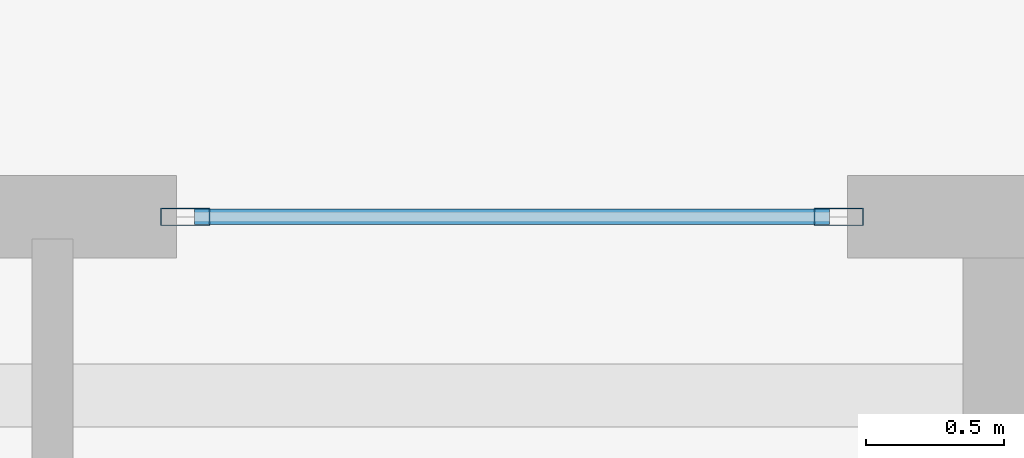
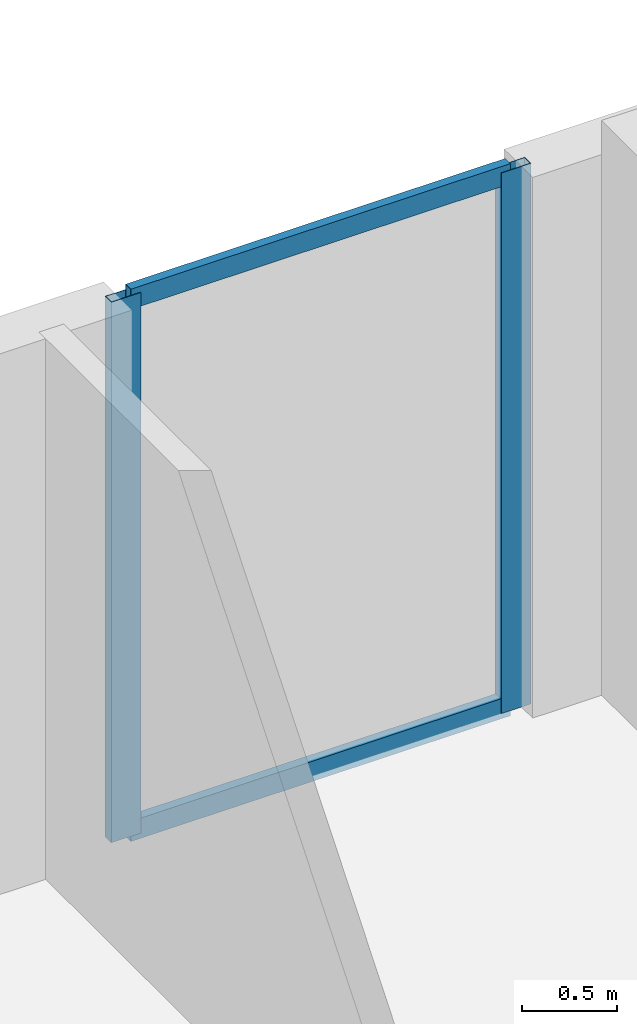
# One storey, part 17 of 25: 4 members, 1 element without a shape of its own.
"""IFC4 building model written with IfcOpenShell, lengths in metres."""

from ifc_helpers import new_model, si_unit, direction, frame, origin, origin_2d, place, context, subcontext, project, spatial, hollow_rectangle, extrude, material, layer, layer_set, material_profile, profile_set, type_object, element, aggregate, save


model = new_model("IFC4")

# Units and contexts
model_context = context("Model", 3, precision=1e-05, world=origin(), true_north=direction((0.0, 1.0)))
body_context = subcontext(model_context, "Body", "Model", "MODEL_VIEW")
ifc_project = project(units=[si_unit("LENGTHUNIT", "METRE"), si_unit("AREAUNIT", "SQUARE_METRE"), si_unit("VOLUMEUNIT", "CUBIC_METRE"), si_unit("PLANEANGLEUNIT", "RADIAN"), si_unit("MASSUNIT", "GRAM", prefix="KILO")], contexts=[model_context])

# Site, building, storey
site_placement = place(None, origin())
site = spatial("IfcSite", under=ifc_project, at=site_placement, CompositionType="ELEMENT")
building_placement = place(site_placement, origin())
building = spatial("IfcBuilding", under=site, at=building_placement, Name="Zuhayl Quay Hotel", CompositionType="ELEMENT")
storey_placement = place(building_placement, frame((0.0, 0.0, 250.75)))
storey = spatial("IfcBuildingStorey", under=building, at=storey_placement, Name="L63", CompositionType="ELEMENT", Elevation=250.75)

# Curtain wall, members
ifc_material_1 = material(Name="Anodised Aluminium 6063-T6", Category="aluminium")
ifc_layer = layer(ifc_material_1, 0.169921875, Name="Anodised Aluminium 6063-T6", Category="aluminium")
ifc_layer_set = layer_set([ifc_layer], Name="Anodised Aluminium 6063-T6")
curtain_wall_type = type_object("IfcCurtainWallType", Name="CW_SYS_Z4", PredefinedType="USERDEFINED", material=ifc_layer_set)
curtain_wall_placement = place(storey_placement, origin())
curtain_wall = element("IfcCurtainWall", 1, at=curtain_wall_placement, inside=storey, type_object=curtain_wall_type, Name="L63 Curtain Wall ENV_L63_N_CW4", ObjectType="UNITISED CURTAIN WALL", PredefinedType="USERDEFINED")
ifc_material_2 = material(Name="Black-anodised aluminium 6063-T6", Category="aluminium")
ifc_material_profile_1 = material_profile(ifc_material_2, hollow_rectangle(XDim=0.06494140625, YDim=0.179931640625, WallThickness=0.00341796875, at=origin_2d()), Name="ALU180X65")
ifc_profile_set_1 = profile_set([ifc_material_profile_1], Name="Black-anodised aluminium 6063-T6")
member_type_1 = type_object("IfcMemberType", Name="MB_CW_MUL_180", PredefinedType="MULLION", material=ifc_profile_set_1)
member_1_placement = place(storey_placement, frame((10.472412109375, 39.0, 0.0), z_axis=(0.0, 0.0, 1.0), x_axis=(0.0, 1.0, 0.0)))
member_1 = element("IfcMember", 2, at=member_1_placement, type_object=member_type_1, Name="CW-Z4 mullion 1", PredefinedType="MULLION", context=body_context, shape_type="SweptSolid", body=[
    extrude(hollow_rectangle(XDim=0.06494140625, YDim=0.179931640625, WallThickness=0.00341796875, at=origin_2d()), origin(), (0.0, 0.0, 1.0), 3.47998046875),
])
member_2_placement = place(storey_placement, frame((12.847412109375, 39.0, 0.0), z_axis=(0.0, 0.0, 1.0), x_axis=(0.0, 1.0, 0.0)))
member_2 = element("IfcMember", 3, at=member_2_placement, type_object=member_type_1, Name="CW-Z4 mullion 2", PredefinedType="MULLION", context=body_context, shape_type="SweptSolid", body=[
    extrude(hollow_rectangle(XDim=0.06494140625, YDim=0.179931640625, WallThickness=0.00341796875, at=origin_2d()), origin(), (0.0, 0.0, 1.0), 3.47998046875),
])
ifc_material_profile_2 = material_profile(ifc_material_2, hollow_rectangle(XDim=0.054931640625, YDim=0.1298828125, WallThickness=0.0029296875, at=origin_2d()), Name="ALU130X55")
ifc_profile_set_2 = profile_set([ifc_material_profile_2], Name="Black-anodised aluminium 6063-T6")
member_type_2 = type_object("IfcMemberType", Name="MB_CW_TRN_130", PredefinedType="USERDEFINED", material=ifc_profile_set_2)
member_3_placement = place(storey_placement, frame((10.5048828125, 39.0, 0.027587890625), z_axis=(1.0, 0.0, 0.0), x_axis=(0.0, 1.0, 0.0)))
member_3 = element("IfcMember", 4, at=member_3_placement, type_object=member_type_2, Name="CW-Z4 transom 1.1", ObjectType="TRANSOM", PredefinedType="USERDEFINED", context=body_context, shape_type="SweptSolid", body=[
    extrude(hollow_rectangle(XDim=0.054931640625, YDim=0.1298828125, WallThickness=0.0029296875, at=origin_2d()), origin(), (0.0, 0.0, 1.0), 2.31005859375),
])
member_4_placement = place(storey_placement, frame((10.5048828125, 39.0, 3.452392578125), z_axis=(1.0, 0.0, 0.0), x_axis=(0.0, 1.0, 0.0)))
member_4 = element("IfcMember", 5, at=member_4_placement, type_object=member_type_2, Name="CW-Z4 transom 1.2", ObjectType="TRANSOM", PredefinedType="USERDEFINED", context=body_context, shape_type="SweptSolid", body=[
    extrude(hollow_rectangle(XDim=0.054931640625, YDim=0.1298828125, WallThickness=0.0029296875, at=origin_2d()), origin(), (0.0, 0.0, 1.0), 2.31005859375),
])
aggregate(curtain_wall, [member_1, member_2, member_3, member_4])

save(model, "model.ifc")
